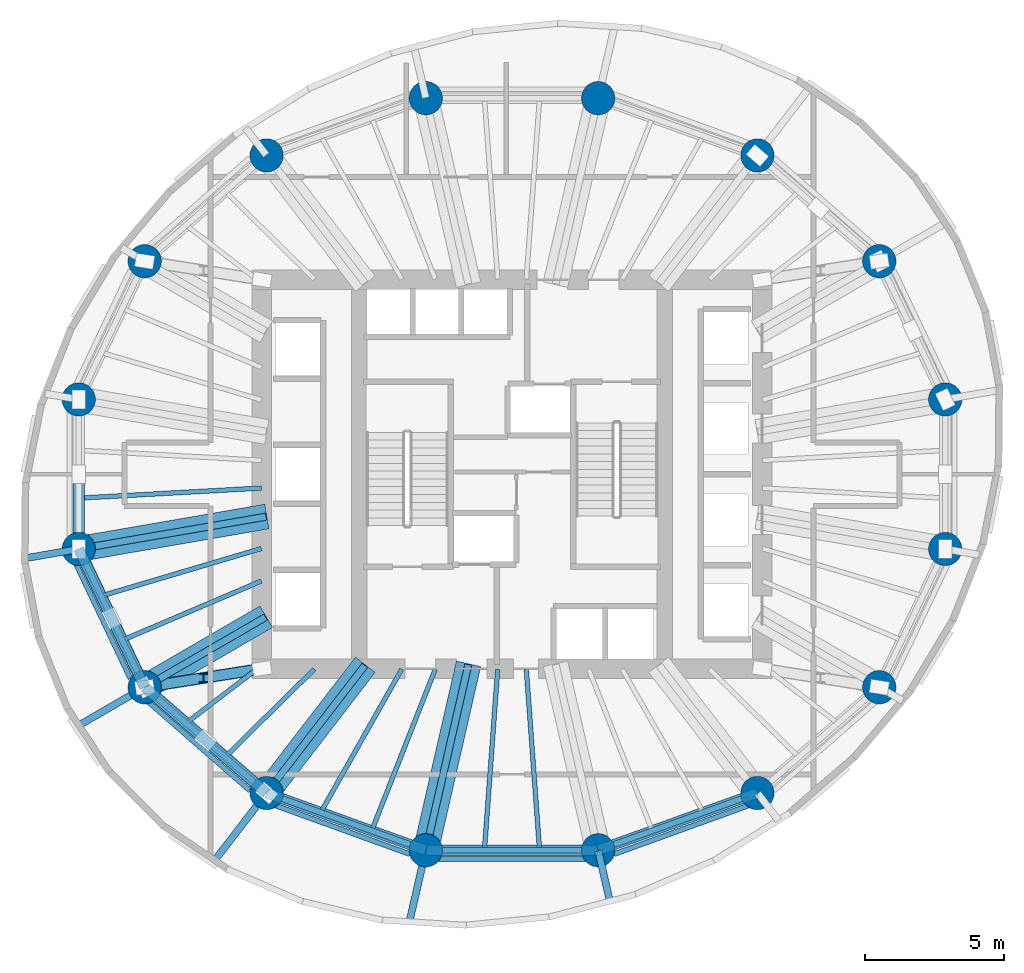
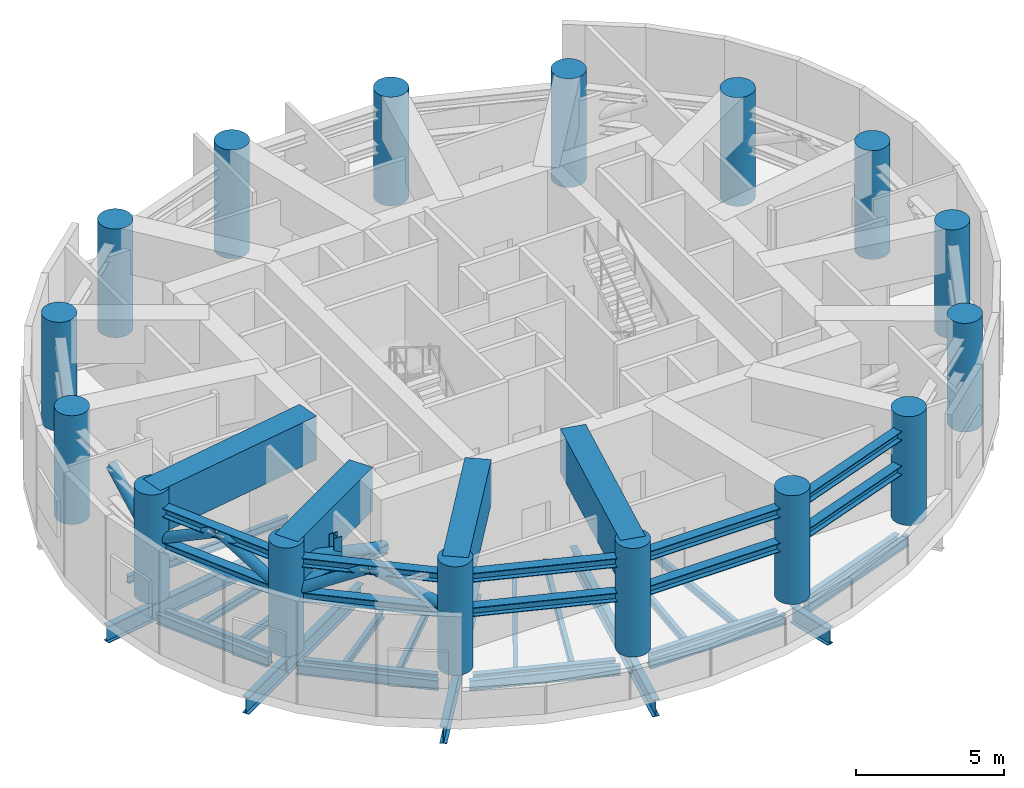
# One storey, part 1 of 9: 32 beams, 18 members, 16 columns.
"""IFC4 building model written with IfcOpenShell, lengths in metres."""

import ifcopenshell
import ifcopenshell.guid

model = None  # the IFC model being written
_history = None  # IfcOwnerHistory: only IFC2X3 demands one
_inside = {}  # id of a spatial element -> (the spatial element, [elements in it])
_under = {}  # id of a project, library or spatial element -> (it, [spatial elements below it])
_declared = {}  # id of a project -> (the project, [libraries it declares])
_typed = {}  # id of a type object -> (the type object, [elements of that type])
_made_of = {}  # id of a material, layer set ... -> (it, [elements and type objects made of it])


def new_model(schema):
    """Start an empty IFC model of exactly this schema.

    Asked for "IFC4X3", IfcOpenShell would pick the latest addendum, in which some entities
    have other attributes; the version numbers below select the first issue.
    IFC2X3 requires an IfcOwnerHistory on every rooted entity: one is made here for all.
    """
    global model, _history
    if schema == "IFC4X3":
        model = ifcopenshell.file(schema_version=(4, 3, 0, 0))
    else:
        model = ifcopenshell.file(schema=schema)
    _inside.clear()
    _under.clear()
    _declared.clear()
    _typed.clear()
    _made_of.clear()
    _history = None
    if model.schema == "IFC2X3":
        org = make("IfcOrganization", Name="unknown")
        user = make(
            "IfcPersonAndOrganization",
            ThePerson=make("IfcPerson", FamilyName="unknown"),
            TheOrganization=org,
        )
        app = make(
            "IfcApplication",
            ApplicationDeveloper=org,
            Version="unknown",
            ApplicationFullName="unknown",
            ApplicationIdentifier="unknown",
        )
        _history = make(
            "IfcOwnerHistory",
            OwningUser=user,
            OwningApplication=app,
            ChangeAction="ADDED",
            CreationDate=0,
        )
    return model


def make(cls, **values):
    """One entity of the class cls with the attributes given. An attribute that is None is left unset."""
    return model.create_entity(
        cls, **{name: value for name, value in values.items() if value is not None}
    )


def rooted(cls, **values):
    """An entity with a GlobalId (a new one), such as an element, a storey or a relation."""
    return make(cls, GlobalId=ifcopenshell.guid.new(), OwnerHistory=_history, **values)


def si_unit(unit_type, name, prefix=None):
    """IfcSIUnit, for example si_unit("LENGTHUNIT", "METRE", prefix="MILLI")."""
    return make("IfcSIUnit", UnitType=unit_type, Prefix=prefix, Name=name)


def assignment(units):
    """IfcUnitAssignment: the units of a project."""
    return None if units is None else make("IfcUnitAssignment", Units=units)


def point(xyz):
    """IfcCartesianPoint."""
    return None if xyz is None else make("IfcCartesianPoint", Coordinates=xyz)


def direction(xyz):
    """IfcDirection."""
    return None if xyz is None else make("IfcDirection", DirectionRatios=xyz)


def frame(location, z_axis=None, x_axis=None):
    """IfcAxis2Placement3D, a coordinate frame: its origin and axes. An axis left out is left unset."""
    return make(
        "IfcAxis2Placement3D",
        Location=point(location),
        Axis=direction(z_axis),
        RefDirection=direction(x_axis),
    )


def frame_2d(location, x_axis=None):
    """IfcAxis2Placement2D, a coordinate frame in the plane: its origin and x axis."""
    return make(
        "IfcAxis2Placement2D", Location=point(location), RefDirection=direction(x_axis)
    )


def origin():
    """The frame at (0, 0, 0) with its axes left unset."""
    return frame((0.0, 0.0, 0.0))


def origin_2d():
    """The frame at (0, 0) in the plane with its x axis left unset."""
    return frame_2d((0.0, 0.0))


def place(relative_to, where):
    """IfcLocalPlacement: puts the frame where relative to a parent placement (None: the world)."""
    return make(
        "IfcLocalPlacement", PlacementRelTo=relative_to, RelativePlacement=where
    )


def context(
    kind, dimensions, precision=None, world=None, true_north=None, identifier=None
):
    """IfcGeometricRepresentationContext, for example the 3D "Model" context."""
    return make(
        "IfcGeometricRepresentationContext",
        ContextIdentifier=identifier,
        ContextType=kind,
        CoordinateSpaceDimension=dimensions,
        Precision=precision,
        WorldCoordinateSystem=world,
        TrueNorth=true_north,
    )


def subcontext(parent, identifier, kind, view, scale=None):
    """IfcGeometricRepresentationSubContext, for example "Body" below "Model"."""
    return make(
        "IfcGeometricRepresentationSubContext",
        ContextIdentifier=identifier,
        ContextType=kind,
        ParentContext=parent,
        TargetScale=scale,
        TargetView=view,
    )


def project(units=None, contexts=None):
    """IfcProject with its units and contexts."""
    return rooted(
        "IfcProject",
        Name="project",
        RepresentationContexts=contexts,
        UnitsInContext=assignment(units),
    )


def spatial(cls, under=None, at=None, **own):
    """A site, building, storey or space (cls), placed at a placement, below another one or the project."""
    s = rooted(cls, ObjectPlacement=at, **own)
    if under is not None:
        _under.setdefault(under.id(), (under, []))[1].append(s)
    return s


def profile(cls, at=None, kind="AREA", **sizes):
    """A parametric profile (cls). Its sizes go by their IFC names, for example OverallWidth=200.0."""
    return make(cls, ProfileType=kind, Position=at, **sizes)


def rectangle(**sizes):
    """IfcRectangleProfileDef."""
    return profile("IfcRectangleProfileDef", **sizes)


def circle(**sizes):
    """IfcCircleProfileDef."""
    return profile("IfcCircleProfileDef", **sizes)


def hollow_circle(**sizes):
    """IfcCircleHollowProfileDef."""
    return profile("IfcCircleHollowProfileDef", **sizes)


def i_section(**sizes):
    """IfcIShapeProfileDef."""
    return profile("IfcIShapeProfileDef", **sizes)


def extrude(swept, where, along, depth):
    """IfcExtrudedAreaSolid: the profile swept, set in the frame where, extruded along a direction by depth."""
    return make(
        "IfcExtrudedAreaSolid",
        SweptArea=swept,
        Position=where,
        ExtrudedDirection=direction(along),
        Depth=depth,
    )


def shape(context_of_items, identifier, shape_type, items):
    """IfcShapeRepresentation: the items that make up one representation, for example the "Body"."""
    return make(
        "IfcShapeRepresentation",
        ContextOfItems=context_of_items,
        RepresentationIdentifier=identifier,
        RepresentationType=shape_type,
        Items=items,
    )


def material(Name=None, Category=None):
    """IfcMaterial."""
    return make("IfcMaterial", Name=Name, Category=Category)


def material_profile(
    of_material, cross_section, Name=None, Category=None, Priority=None
):
    """IfcMaterialProfile: a cross section and its material."""
    return make(
        "IfcMaterialProfile",
        Name=Name,
        Material=of_material,
        Profile=cross_section,
        Priority=Priority,
        Category=Category,
    )


def profile_set(profiles, Name=None, composite=None):
    """IfcMaterialProfileSet."""
    return make(
        "IfcMaterialProfileSet",
        Name=Name,
        MaterialProfiles=profiles,
        CompositeProfile=composite,
    )


def made_of(thing, what):
    """Note that an element or type object is made of a material, layer set ...; save() writes the relation."""
    if what is not None:
        _made_of.setdefault(what.id(), (what, []))[1].append(thing)
    return thing


def type_object(cls, material=None, **own):
    """A type object (cls), such as IfcWallType, which elements share."""
    return made_of(rooted(cls, **own), material)


def element(
    cls,
    number,
    at=None,
    inside=None,
    cuts=None,
    type_object=None,
    material=None,
    context=None,
    identifier="Body",
    shape_type=None,
    held_by="IfcProductDefinitionShape",
    body=None,
    shapes=None,
    **own,
):
    """One element of the class cls, such as IfcWall. Its Tag is "e" and its number.

    at: its placement. inside: the storey or other place that contains it. cuts: it is an
    opening in that element (IfcRelVoidsElement). A single representation is given by context,
    identifier, shape_type and body (its items); several are given by shapes. held_by: the class
    of the entity that holds the representations. save() writes the other relations.
    """
    e = rooted(cls, Tag="e%d" % number, ObjectPlacement=at, **own)
    if body is not None:
        shapes = [shape(context, identifier, shape_type, body)]
    if shapes is not None:
        e.Representation = make(held_by, Representations=shapes)
    if inside is not None:
        _inside.setdefault(inside.id(), (inside, []))[1].append(e)
    if cuts is not None:
        rooted(
            "IfcRelVoidsElement", RelatingBuildingElement=cuts, RelatedOpeningElement=e
        )
    if type_object is not None:
        _typed.setdefault(type_object.id(), (type_object, []))[1].append(e)
    return made_of(e, material)


def aggregate(whole, parts):
    """IfcRelAggregates: a whole, such as a stair, and the parts it consists of."""
    return rooted("IfcRelAggregates", RelatingObject=whole, RelatedObjects=parts)


def save(model, path):
    """Write the relations noted so far, then the file.

    IfcRelAggregates (storeys below a building ...), IfcRelContainedInSpatialStructure (elements
    in a storey), IfcRelDefinesByType, IfcRelAssociatesMaterial and IfcRelDeclares: one each for
    every whole, place, type object, material and project.
    """
    for whole, parts in _under.values():
        aggregate(whole, parts)
    for where, things in _inside.values():
        rooted(
            "IfcRelContainedInSpatialStructure",
            RelatedElements=things,
            RelatingStructure=where,
        )
    for kind, things in _typed.values():
        rooted("IfcRelDefinesByType", RelatedObjects=things, RelatingType=kind)
    for what, things in _made_of.values():
        rooted("IfcRelAssociatesMaterial", RelatedObjects=things, RelatingMaterial=what)
    for by, libraries in _declared.values():
        rooted("IfcRelDeclares", RelatingContext=by, RelatedDefinitions=libraries)
    model.write(path)


model = new_model("IFC4")

# Units and contexts
model_context = context("Model", 3, precision=1e-05, world=origin(), true_north=direction((0.0, 1.0)))
body_context = subcontext(model_context, "Body", "Model", "MODEL_VIEW")
ifc_project = project(units=[si_unit("LENGTHUNIT", "METRE"), si_unit("AREAUNIT", "SQUARE_METRE"), si_unit("VOLUMEUNIT", "CUBIC_METRE"), si_unit("PLANEANGLEUNIT", "RADIAN"), si_unit("MASSUNIT", "GRAM", prefix="KILO")], contexts=[model_context])

# Site, building, storey
site_placement = place(None, origin())
site = spatial("IfcSite", under=ifc_project, at=site_placement, CompositionType="ELEMENT")
building_placement = place(site_placement, origin())
building = spatial("IfcBuilding", under=site, at=building_placement, Name="Veldorim Arch Residences", CompositionType="ELEMENT")
storey_placement = place(building_placement, frame((0.0, 0.0, 112.47998046875)))
storey = spatial("IfcBuildingStorey", under=building, at=storey_placement, Name="L33", CompositionType="ELEMENT", Elevation=112.47998046875)

# Columns
ifc_material_1 = material(Name="Concrete C60/75", Category="concrete")
ifc_material_profile_1 = material_profile(ifc_material_1, circle(Radius=0.60009765625, at=origin_2d()), Name="RC_CIRC_1200")
ifc_profile_set_1 = profile_set([ifc_material_profile_1], Name="Concrete C60/75")
column_type = type_object("IfcColumnType", Name="Structural Column RC_CIRC_1200", PredefinedType="COLUMN", material=ifc_profile_set_1)
for number, where, z_axis, x_axis, name in (
    (1, (47.594482421875, 26.692138671875, 0.0), (0.0, 0.0, 1.0), (1.0, 0.0, 0.0), "L33 TC-Z2-01 perimeter column"),
    (2, (45.220458984375, 31.6669921875, 0.0), (0.0, 0.0, 1.0), (1.0, 0.0, 0.0), "L33 TC-Z2-02 perimeter column"),
    (3, (40.83349609375, 35.474365234375, 0.0), (0.0, 0.0, 1.0), (1.0, 0.0, 0.0), "L33 TC-Z2-03 perimeter column"),
    (4, (35.101806640625, 37.534912109375, 0.0), (0.0, 0.0, 1.0), (1.0, 0.0, 0.0), "L33 TC-Z2-04 perimeter column"),
    (5, (28.898193359375, 37.534912109375, 0.0), (0.0, 0.0, 1.0), (1.0, 0.0, 0.0), "L33 TC-Z2-05 perimeter column"),
    (6, (23.16650390625, 35.474365234375, 0.0), (0.0, 0.0, 1.0), (1.0, 0.0, 0.0), "L33 TC-Z2-06 perimeter column"),
    (7, (18.779541015625, 31.6669921875, 0.0), (0.0, 0.0, 1.0), (1.0, 0.0, 0.0), "L33 TC-Z2-07 perimeter column"),
    (8, (16.405517578125, 26.692138671875, 0.0), (0.0, 0.0, 1.0), (1.0, 0.0, 0.0), "L33 TC-Z2-08 perimeter column"),
    (9, (16.405517578125, 21.307861328125, 0.0), (0.0, 0.0, 1.0), (1.0, 0.0, 0.0), "L33 TC-Z2-09 perimeter column"),
    (10, (18.779541015625, 16.3330078125, 0.0), (0.0, 0.0, 1.0), (1.0, 0.0, 0.0), "L33 TC-Z2-10 perimeter column"),
    (11, (23.16650390625, 12.525634765625, 0.0), (0.0, 0.0, 1.0), (1.0, 0.0, 0.0), "L33 TC-Z2-11 perimeter column"),
    (12, (28.898193359375, 10.465087890625, 0.0), (0.0, 0.0, 1.0), (1.0, 0.0, 0.0), "L33 TC-Z2-12 perimeter column"),
    (13, (35.101806640625, 10.465087890625, 0.0), (0.0, 0.0, 1.0), (1.0, 0.0, 0.0), "L33 TC-Z2-13 perimeter column"),
    (14, (40.83349609375, 12.525634765625, 0.0), (0.0, 0.0, 1.0), (1.0, 0.0, 0.0), "L33 TC-Z2-14 perimeter column"),
    (15, (45.220458984375, 16.3330078125, 0.0), (0.0, 0.0, 1.0), (1.0, 0.0, 0.0), "L33 TC-Z2-15 perimeter column"),
    (16, (47.594482421875, 21.307861328125, 0.0), (0.0, 0.0, 1.0), (1.0, 0.0, 0.0), "L33 TC-Z2-16 perimeter column"),
):
    element("IfcColumn", number, at=place(storey_placement, frame(where, z_axis=z_axis, x_axis=x_axis)), inside=storey, type_object=column_type, Name=name, PredefinedType="COLUMN", context=body_context, shape_type="SweptSolid", body=[
        extrude(circle(Radius=0.60009765625, at=origin_2d()), origin(), (0.0, 0.0, 1.0), 4.47998046875),
    ])

# Members
ifc_material_2 = material(Name="Steel S460", Category="steel")
ifc_material_profile_2 = material_profile(ifc_material_2, hollow_circle(Radius=0.203125, WallThickness=0.02490234375, at=origin_2d()), Name="CHS406.4x25")
ifc_profile_set_2 = profile_set([ifc_material_profile_2], Name="Steel S460")
member_type_1 = type_object("IfcMemberType", Name="Crown Diagrid CHS406.4x25", PredefinedType="BRACE", material=ifc_profile_set_2)
member_1_placement = place(storey_placement, frame((16.405517578125, 21.307861328125, 2.239990234375), z_axis=(0.0, 0.884510728409, 0.46651985095), x_axis=(-1.0, 0.0, 0.0)))
element("IfcMember", 17, at=member_1_placement, inside=storey, type_object=member_type_1, Name="L33 belt truss chevron brace 08B", PredefinedType="BRACE", context=body_context, shape_type="SweptSolid", body=[
    extrude(hollow_circle(Radius=0.203125, WallThickness=0.02490234375, at=origin_2d()), origin(), (0.0, 0.0, 1.0), 3.043701171875),
])
member_2_placement = place(storey_placement, frame((16.405517578125, 21.307861328125, 2.239990234375), z_axis=(0.382869964673, -0.80227873305, 0.457995005047), x_axis=(0.902496689438, 0.430696790739, 0.0)))
element("IfcMember", 18, at=member_2_placement, inside=storey, type_object=member_type_1, Name="L33 belt truss chevron brace 09A", PredefinedType="BRACE", context=body_context, shape_type="SweptSolid", body=[
    extrude(hollow_circle(Radius=0.203125, WallThickness=0.02490234375, at=origin_2d()), origin(), (0.0, 0.0, 1.0), 3.100341796875),
])
member_3_placement = place(storey_placement, frame((18.779541015625, 16.3330078125, 2.239990234375), z_axis=(-0.382845777056, 0.802306791942, 0.457966071443), x_axis=(-0.902513119828, -0.430662360252, 0.0)))
element("IfcMember", 19, at=member_3_placement, inside=storey, type_object=member_type_1, Name="L33 belt truss chevron brace 09B", PredefinedType="BRACE", context=body_context, shape_type="SweptSolid", body=[
    extrude(hollow_circle(Radius=0.203125, WallThickness=0.02490234375, at=origin_2d()), origin(), (0.0, 0.0, 1.0), 3.1005859375),
])
member_4_placement = place(storey_placement, frame((18.779541015625, 16.3330078125, 2.239990234375), z_axis=(0.678484593974, -0.588840647731, 0.439232680159), x_axis=(0.655452052573, 0.755236788549, 0.0)))
element("IfcMember", 20, at=member_4_placement, inside=storey, type_object=member_type_1, Name="L33 belt truss chevron brace 10A", PredefinedType="BRACE", context=body_context, shape_type="SweptSolid", body=[
    extrude(hollow_circle(Radius=0.203125, WallThickness=0.02490234375, at=origin_2d()), origin(), (0.0, 0.0, 1.0), 3.232666015625),
])
member_5_placement = place(storey_placement, frame((23.16650390625, 12.525634765625, 2.239990234375), z_axis=(-0.678495175724, 0.588859808603, 0.439190644631), x_axis=(-0.655458387003, -0.755231291001, 0.0)))
element("IfcMember", 21, at=member_5_placement, inside=storey, type_object=member_type_1, Name="L33 belt truss chevron brace 10B", PredefinedType="BRACE", context=body_context, shape_type="SweptSolid", body=[
    extrude(hollow_circle(Radius=0.203125, WallThickness=0.02490234375, at=origin_2d()), origin(), (0.0, 0.0, 1.0), 3.233154296875),
])
member_6_placement = place(storey_placement, frame((23.0, 17.0, 2.239990234375), z_axis=(-0.937339958328, -0.148135174764, 0.315356579952), x_axis=(0.15610047481, -0.987741181567, 0.0)))
element("IfcMember", 22, at=member_6_placement, inside=storey, type_object=member_type_1, Name="L33 outrigger truss diagonal 04", PredefinedType="BRACE", context=body_context, shape_type="SweptSolid", body=[
    extrude(hollow_circle(Radius=0.203125, WallThickness=0.02490234375, at=origin_2d()), origin(), (0.0, 0.0, 1.0), 4.502685546875),
])

# Beams
ifc_material_3 = material(Name="Concrete C50/60", Category="concrete")
ifc_material_profile_3 = material_profile(ifc_material_3, rectangle(XDim=0.89990234375, YDim=1.800048828125, at=origin_2d()), Name="RC_RECT_900x1800")
ifc_profile_set_3 = profile_set([ifc_material_profile_3], Name="Concrete C50/60")
beam_type_1 = type_object("IfcBeamType", Name="Reinforced Concrete TRANSFER GIRDER RC_RECT_900x1800", PredefinedType="USERDEFINED", material=ifc_profile_set_3)
beam_1_placement = place(storey_placement, frame((23.177490234375, 22.476806640625, 3.580078125), z_axis=(-0.985426867966, -0.170099641064, 0.0), x_axis=(0.170099641064, -0.985426867966, 0.0)))
element("IfcBeam", 23, at=beam_1_placement, inside=storey, type_object=beam_type_1, Name="L33 zone-setback radial transfer girder 09", ObjectType="TRANSFER GIRDER", PredefinedType="USERDEFINED", context=body_context, shape_type="SweptSolid", body=[
    extrude(rectangle(XDim=0.89990234375, YDim=1.800048828125, at=origin_2d()), origin(), (0.0, 0.0, 1.0), 6.8720703125),
])
beam_2_placement = place(storey_placement, frame((23.15576171875, 18.870849609375, 3.580078125), z_axis=(-0.865062605032, -0.501663920743, 0.0), x_axis=(0.501663920743, -0.865062605032, 0.0)))
element("IfcBeam", 24, at=beam_2_placement, inside=storey, type_object=beam_type_1, Name="L33 zone-setback radial transfer girder 10", ObjectType="TRANSFER GIRDER", PredefinedType="USERDEFINED", context=body_context, shape_type="SweptSolid", body=[
    extrude(rectangle(XDim=0.89990234375, YDim=1.800048828125, at=origin_2d()), origin(), (0.0, 0.0, 1.0), 5.058837890625),
])
beam_3_placement = place(storey_placement, frame((26.720703125, 17.142578125, 3.580078125), z_axis=(-0.610002316779, -0.792399629937, 0.0), x_axis=(0.792399629937, -0.610002316779, 0.0)))
element("IfcBeam", 25, at=beam_3_placement, inside=storey, type_object=beam_type_1, Name="L33 zone-setback radial transfer girder 11", ObjectType="TRANSFER GIRDER", PredefinedType="USERDEFINED", context=body_context, shape_type="SweptSolid", body=[
    extrude(rectangle(XDim=0.89990234375, YDim=1.800048828125, at=origin_2d()), origin(), (0.0, 0.0, 1.0), 5.826416015625),
])
beam_4_placement = place(storey_placement, frame((30.435791015625, 17.175537109375, 3.580078125), z_axis=(-0.223346674317, -0.974739074353, 0.0), x_axis=(0.974739074353, -0.223346674317, 0.0)))
element("IfcBeam", 26, at=beam_4_placement, inside=storey, type_object=beam_type_1, Name="L33 zone-setback radial transfer girder 12", ObjectType="TRANSFER GIRDER", PredefinedType="USERDEFINED", context=body_context, shape_type="SweptSolid", body=[
    extrude(rectangle(XDim=0.89990234375, YDim=1.800048828125, at=origin_2d()), origin(), (0.0, 0.0, 1.0), 6.88427734375),
])
ifc_material_4 = material(Name="Steel S355", Category="steel")
ifc_material_profile_4 = material_profile(ifc_material_4, i_section(OverallWidth=0.2119140625, OverallDepth=0.54443359375, WebThickness=0.0126953125, FlangeThickness=0.021240234375, at=origin_2d()), Name="UB533x210x122")
ifc_profile_set_4 = profile_set([ifc_material_profile_4], Name="Steel S355")
beam_type_2 = type_object("IfcBeamType", Name="Structural Steel Beam UB533x210x122", PredefinedType="BEAM", material=ifc_profile_set_4)
beam_5_placement = place(storey_placement, frame((16.663818359375, 20.766357421875, -0.67236328125), z_axis=(0.430720154476, -0.902485539235, 0.0), x_axis=(0.902485539235, 0.430720154476, 0.0)))
element("IfcBeam", 27, at=beam_5_placement, inside=storey, type_object=beam_type_2, Name="L33 perimeter ring tie beam 09", PredefinedType="BEAM", context=body_context, shape_type="SweptSolid", body=[
    extrude(i_section(OverallWidth=0.2119140625, OverallDepth=0.54443359375, WebThickness=0.0126953125, FlangeThickness=0.021240234375, at=origin_2d()), origin(), (0.0, 0.0, 1.0), 4.312255859375),
])
beam_6_placement = place(storey_placement, frame((19.232666015625, 15.939697265625, -0.67236328125), z_axis=(0.755244952556, -0.655442645576, 0.0), x_axis=(0.655442645576, 0.755244952556, 0.0)))
element("IfcBeam", 28, at=beam_6_placement, inside=storey, type_object=beam_type_2, Name="L33 perimeter ring tie beam 10", PredefinedType="BEAM", context=body_context, shape_type="SweptSolid", body=[
    extrude(i_section(OverallWidth=0.2119140625, OverallDepth=0.54443359375, WebThickness=0.0126953125, FlangeThickness=0.021240234375, at=origin_2d()), origin(), (0.0, 0.0, 1.0), 4.608642578125),
])
beam_7_placement = place(storey_placement, frame((23.73095703125, 12.32275390625, -0.67236328125), z_axis=(0.941041944493, -0.338289903343, 0.0), x_axis=(0.338289903343, 0.941041944493, 0.0)))
element("IfcBeam", 29, at=beam_7_placement, inside=storey, type_object=beam_type_2, Name="L33 perimeter ring tie beam 11", PredefinedType="BEAM", context=body_context, shape_type="SweptSolid", body=[
    extrude(i_section(OverallWidth=0.2119140625, OverallDepth=0.54443359375, WebThickness=0.0126953125, FlangeThickness=0.021240234375, at=origin_2d()), origin(), (0.0, 0.0, 1.0), 4.890869140625),
])
beam_8_placement = place(storey_placement, frame((29.498046875, 10.465087890625, -0.67236328125), z_axis=(1.0, 0.0, 0.0), x_axis=(0.0, 1.0, 0.0)))
element("IfcBeam", 30, at=beam_8_placement, inside=storey, type_object=beam_type_2, Name="L33 perimeter ring tie beam 12", PredefinedType="BEAM", context=body_context, shape_type="SweptSolid", body=[
    extrude(i_section(OverallWidth=0.2119140625, OverallDepth=0.54443359375, WebThickness=0.0126953125, FlangeThickness=0.021240234375, at=origin_2d()), origin(), (0.0, 0.0, 1.0), 5.00390625),
])
beam_9_placement = place(storey_placement, frame((35.66650390625, 10.668212890625, -0.67236328125), z_axis=(0.941041944493, 0.338289903343, 0.0), x_axis=(-0.338289903343, 0.941041944493, 0.0)))
element("IfcBeam", 31, at=beam_9_placement, inside=storey, type_object=beam_type_2, Name="L33 perimeter ring tie beam 13", PredefinedType="BEAM", context=body_context, shape_type="SweptSolid", body=[
    extrude(i_section(OverallWidth=0.2119140625, OverallDepth=0.54443359375, WebThickness=0.0126953125, FlangeThickness=0.021240234375, at=origin_2d()), origin(), (0.0, 0.0, 1.0), 4.890869140625),
])
ifc_material_5 = material(Name="Steel S355", Category="steel")
ifc_material_profile_5 = material_profile(ifc_material_5, i_section(OverallWidth=0.25439453125, OverallDepth=0.6875, WebThickness=0.01318359375, FlangeThickness=0.02099609375, at=origin_2d()), Name="UB686x254x152")
ifc_profile_set_5 = profile_set([ifc_material_profile_5], Name="Steel S355")
beam_type_3 = type_object("IfcBeamType", Name="Structural Steel GIRDER UB686x254x152", PredefinedType="USERDEFINED", material=ifc_profile_set_5)
beam_10_placement = place(storey_placement, frame((23.147705078125, 22.4716796875, -0.743896484375), z_axis=(-0.985426622718, -0.17010106184, 0.0), x_axis=(0.17010106184, -0.985426622718, 0.0)))
element("IfcBeam", 32, at=beam_10_placement, inside=storey, type_object=beam_type_3, Name="L33 radial floor girder 09", ObjectType="GIRDER", PredefinedType="USERDEFINED", context=body_context, shape_type="SweptSolid", body=[
    extrude(i_section(OverallWidth=0.25439453125, OverallDepth=0.6875, WebThickness=0.01318359375, FlangeThickness=0.02099609375, at=origin_2d()), origin(), (0.0, 0.0, 1.0), 6.82177734375),
])
beam_11_placement = place(storey_placement, frame((16.3857421875, 21.304443359375, -0.743896484375), z_axis=(-0.985411374096, -0.170189376291, 0.0), x_axis=(0.170189376291, -0.985411374096, 0.0)))
element("IfcBeam", 33, at=beam_11_placement, inside=storey, type_object=beam_type_3, Name="L33 radial edge cantilever girder 09", ObjectType="GIRDER", PredefinedType="USERDEFINED", context=body_context, shape_type="SweptSolid", body=[
    extrude(i_section(OverallWidth=0.25439453125, OverallDepth=0.6875, WebThickness=0.01318359375, FlangeThickness=0.02099609375, at=origin_2d()), origin(), (0.0, 0.0, 1.0), 1.96826171875),
])
beam_12_placement = place(storey_placement, frame((23.1298828125, 18.85595703125, -0.743896484375), z_axis=(-0.865048957682, -0.501687453314, 0.0), x_axis=(0.501687453314, -0.865048957682, 0.0)))
element("IfcBeam", 34, at=beam_12_placement, inside=storey, type_object=beam_type_3, Name="L33 radial floor girder 10", ObjectType="GIRDER", PredefinedType="USERDEFINED", context=body_context, shape_type="SweptSolid", body=[
    extrude(i_section(OverallWidth=0.25439453125, OverallDepth=0.6875, WebThickness=0.01318359375, FlangeThickness=0.02099609375, at=origin_2d()), origin(), (0.0, 0.0, 1.0), 5.009033203125),
])
beam_13_placement = place(storey_placement, frame((18.76220703125, 16.322998046875, -0.743896484375), z_axis=(-0.865079969569, -0.501633976372, 0.0), x_axis=(0.501633976372, -0.865079969569, 0.0)))
element("IfcBeam", 35, at=beam_13_placement, inside=storey, type_object=beam_type_3, Name="L33 radial edge cantilever girder 10", ObjectType="GIRDER", PredefinedType="USERDEFINED", context=body_context, shape_type="SweptSolid", body=[
    extrude(i_section(OverallWidth=0.25439453125, OverallDepth=0.6875, WebThickness=0.01318359375, FlangeThickness=0.02099609375, at=origin_2d()), origin(), (0.0, 0.0, 1.0), 2.736572265625),
])
beam_14_placement = place(storey_placement, frame((26.702392578125, 17.118896484375, -0.743896484375), z_axis=(-0.609994628196, -0.792405548676, 0.0), x_axis=(0.792405548676, -0.609994628196, 0.0)))
element("IfcBeam", 36, at=beam_14_placement, inside=storey, type_object=beam_type_3, Name="L33 radial floor girder 11", ObjectType="GIRDER", PredefinedType="USERDEFINED", context=body_context, shape_type="SweptSolid", body=[
    extrude(i_section(OverallWidth=0.25439453125, OverallDepth=0.6875, WebThickness=0.01318359375, FlangeThickness=0.02099609375, at=origin_2d()), origin(), (0.0, 0.0, 1.0), 5.776611328125),
])
beam_15_placement = place(storey_placement, frame((23.154296875, 12.510009765625, -0.743896484375), z_axis=(-0.609996329262, -0.79240423919, 0.0), x_axis=(0.79240423919, -0.609996329262, 0.0)))
element("IfcBeam", 37, at=beam_15_placement, inside=storey, type_object=beam_type_3, Name="L33 radial edge cantilever girder 11", ObjectType="GIRDER", PredefinedType="USERDEFINED", context=body_context, shape_type="SweptSolid", body=[
    extrude(i_section(OverallWidth=0.25439453125, OverallDepth=0.6875, WebThickness=0.01318359375, FlangeThickness=0.02099609375, at=origin_2d()), origin(), (0.0, 0.0, 1.0), 3.056884765625),
])
beam_16_placement = place(storey_placement, frame((30.42919921875, 17.146240234375, -0.743896484375), z_axis=(-0.223374742148, -0.97473264261, 0.0), x_axis=(0.97473264261, -0.223374742148, 0.0)))
element("IfcBeam", 38, at=beam_16_placement, inside=storey, type_object=beam_type_3, Name="L33 radial floor girder 12", ObjectType="GIRDER", PredefinedType="USERDEFINED", context=body_context, shape_type="SweptSolid", body=[
    extrude(i_section(OverallWidth=0.25439453125, OverallDepth=0.6875, WebThickness=0.01318359375, FlangeThickness=0.02099609375, at=origin_2d()), origin(), (0.0, 0.0, 1.0), 6.834228515625),
])
beam_17_placement = place(storey_placement, frame((28.8935546875, 10.44580078125, -0.743896484375), z_axis=(-0.223295427376, -0.974750815395, 0.0), x_axis=(0.974750815395, -0.223295427376, 0.0)))
element("IfcBeam", 39, at=beam_17_placement, inside=storey, type_object=beam_type_3, Name="L33 radial edge cantilever girder 12", ObjectType="GIRDER", PredefinedType="USERDEFINED", context=body_context, shape_type="SweptSolid", body=[
    extrude(i_section(OverallWidth=0.25439453125, OverallDepth=0.6875, WebThickness=0.01318359375, FlangeThickness=0.02099609375, at=origin_2d()), origin(), (0.0, 0.0, 1.0), 2.6337890625),
])
beam_18_placement = place(storey_placement, frame((35.1064453125, 10.44580078125, -0.743896484375), z_axis=(0.223316805826, -0.974745917783, 0.0), x_axis=(0.974745917783, 0.223316805826, 0.0)))
element("IfcBeam", 40, at=beam_18_placement, inside=storey, type_object=beam_type_3, Name="L33 radial edge cantilever girder 13", ObjectType="GIRDER", PredefinedType="USERDEFINED", context=body_context, shape_type="SweptSolid", body=[
    extrude(i_section(OverallWidth=0.25439453125, OverallDepth=0.6875, WebThickness=0.01318359375, FlangeThickness=0.02099609375, at=origin_2d()), origin(), (0.0, 0.0, 1.0), 1.872802734375),
])
ifc_material_6 = material(Name="Steel S355", Category="steel")
ifc_material_profile_6 = material_profile(ifc_material_6, i_section(OverallWidth=0.165771484375, OverallDepth=0.306640625, WebThickness=0.006591796875, FlangeThickness=0.01171875, at=origin_2d()), Name="UB305x165x46")
ifc_profile_set_6 = profile_set([ifc_material_profile_6], Name="Steel S355")
beam_type_4 = type_object("IfcBeamType", Name="Structural Steel Joist UB305x165x46", PredefinedType="JOIST", material=ifc_profile_set_6)
beam_19_placement = place(storey_placement, frame((22.97998046875, 23.501708984375, -0.55322265625), z_axis=(-0.99847713097, -0.055167190702, 0.0), x_axis=(0.055167190702, -0.99847713097, 0.0)))
element("IfcBeam", 41, at=beam_19_placement, inside=storey, type_object=beam_type_4, Name="L33 secondary radial floor joist 08-2", PredefinedType="JOIST", context=body_context, shape_type="SweptSolid", body=[
    extrude(i_section(OverallWidth=0.165771484375, OverallDepth=0.306640625, WebThickness=0.006591796875, FlangeThickness=0.01171875, at=origin_2d()), origin(), (0.0, 0.0, 1.0), 6.474365234375),
])
beam_20_placement = place(storey_placement, frame((22.980712890625, 21.326416015625, -0.55322265625), z_axis=(-0.958753061488, -0.284240333324, 0.0), x_axis=(0.284240333324, -0.958753061488, 0.0)))
element("IfcBeam", 42, at=beam_20_placement, inside=storey, type_object=beam_type_4, Name="L33 secondary radial floor joist 09-1", PredefinedType="JOIST", context=body_context, shape_type="SweptSolid", body=[
    extrude(i_section(OverallWidth=0.165771484375, OverallDepth=0.306640625, WebThickness=0.006591796875, FlangeThickness=0.01171875, at=origin_2d()), origin(), (0.0, 0.0, 1.0), 5.906005859375),
])
beam_21_placement = place(storey_placement, frame((22.981689453125, 20.158447265625, -0.55322265625), z_axis=(-0.919997395122, -0.391924473552, 0.0), x_axis=(0.391924473552, -0.919997395122, 0.0)))
element("IfcBeam", 43, at=beam_21_placement, inside=storey, type_object=beam_type_4, Name="L33 secondary radial floor joist 09-2", PredefinedType="JOIST", context=body_context, shape_type="SweptSolid", body=[
    extrude(i_section(OverallWidth=0.165771484375, OverallDepth=0.306640625, WebThickness=0.006591796875, FlangeThickness=0.01171875, at=origin_2d()), origin(), (0.0, 0.0, 1.0), 5.334716796875),
])
beam_22_placement = place(storey_placement, frame((22.984130859375, 17.111572265625, -0.55322265625), z_axis=(-0.794594763594, -0.60714014994, 0.0), x_axis=(0.60714014994, -0.794594763594, 0.0)))
element("IfcBeam", 44, at=beam_22_placement, inside=storey, type_object=beam_type_4, Name="L33 secondary radial floor joist 10-1", PredefinedType="JOIST", context=body_context, shape_type="SweptSolid", body=[
    extrude(i_section(OverallWidth=0.165771484375, OverallDepth=0.306640625, WebThickness=0.006591796875, FlangeThickness=0.01171875, at=origin_2d()), origin(), (0.0, 0.0, 1.0), 3.30419921875),
])
beam_23_placement = place(storey_placement, frame((24.885986328125, 16.986083984375, -0.55322265625), z_axis=(-0.712111629941, -0.702066255066, 0.0), x_axis=(0.702066255066, -0.712111629941, 0.0)))
element("IfcBeam", 45, at=beam_23_placement, inside=storey, type_object=beam_type_4, Name="L33 secondary radial floor joist 10-2", PredefinedType="JOIST", context=body_context, shape_type="SweptSolid", body=[
    extrude(i_section(OverallWidth=0.165771484375, OverallDepth=0.306640625, WebThickness=0.006591796875, FlangeThickness=0.01171875, at=origin_2d()), origin(), (0.0, 0.0, 1.0), 4.39892578125),
])
beam_24_placement = place(storey_placement, frame((28.03173828125, 16.982666015625, -0.55322265625), z_axis=(-0.492227411199, -0.870466642476, 0.0), x_axis=(0.870466642476, -0.492227411199, 0.0)))
element("IfcBeam", 46, at=beam_24_placement, inside=storey, type_object=beam_type_4, Name="L33 secondary radial floor joist 11-1", PredefinedType="JOIST", context=body_context, shape_type="SweptSolid", body=[
    extrude(i_section(OverallWidth=0.165771484375, OverallDepth=0.306640625, WebThickness=0.006591796875, FlangeThickness=0.01171875, at=origin_2d()), origin(), (0.0, 0.0, 1.0), 5.81494140625),
])
beam_25_placement = place(storey_placement, frame((29.238037109375, 16.9814453125, -0.55322265625), z_axis=(-0.366194870364, -0.930538186707, 0.0), x_axis=(0.930538186707, -0.366194870364, 0.0)))
element("IfcBeam", 47, at=beam_25_placement, inside=storey, type_object=beam_type_4, Name="L33 secondary radial floor joist 11-2", PredefinedType="JOIST", context=body_context, shape_type="SweptSolid", body=[
    extrude(i_section(OverallWidth=0.165771484375, OverallDepth=0.306640625, WebThickness=0.006591796875, FlangeThickness=0.01171875, at=origin_2d()), origin(), (0.0, 0.0, 1.0), 6.1396484375),
])
for number, where, z_axis, x_axis, name in (
    (48, (31.485107421875, 16.97998046875, -0.55322265625), (-0.073143494169, -0.997321427254, 0.0), (0.997321427254, -0.073143494169, 0.0), "L33 secondary radial floor joist 12-1"),
    (49, (32.514892578125, 16.97998046875, -0.55322265625), (0.073143494169, -0.997321427254, 0.0), (0.997321427254, 0.073143494169, 0.0), "L33 secondary radial floor joist 12-2"),
):
    element("IfcBeam", number, at=place(storey_placement, frame(where, z_axis=z_axis, x_axis=x_axis)), inside=storey, type_object=beam_type_4, Name=name, PredefinedType="JOIST", context=body_context, shape_type="SweptSolid", body=[
        extrude(i_section(OverallWidth=0.165771484375, OverallDepth=0.306640625, WebThickness=0.006591796875, FlangeThickness=0.01171875, at=origin_2d()), origin(), (0.0, 0.0, 1.0), 6.421875),
    ])
ifc_material_7 = material(Name="Steel S355", Category="steel")
ifc_material_profile_7 = material_profile(ifc_material_7, i_section(OverallWidth=0.1787109375, OverallDepth=0.409423828125, WebThickness=0.0087890625, FlangeThickness=0.014404296875, at=origin_2d()), Name="UB406x178x67")
ifc_profile_set_7 = profile_set([ifc_material_profile_7], Name="Steel S355")
beam_type_5 = type_object("IfcBeamType", Name="Structural Steel Spandrel UB406x178x67", PredefinedType="SPANDREL", material=ifc_profile_set_7)
beam_26_placement = place(storey_placement, frame((16.306884765625, 20.774658203125, -0.624755859375), z_axis=(0.428857472204, -0.903372165021, 0.0), x_axis=(0.903372165021, 0.428857472204, 0.0)))
element("IfcBeam", 50, at=beam_26_placement, inside=storey, type_object=beam_type_5, Name="L33 perimeter chord spandrel beam 09", PredefinedType="SPANDREL", context=body_context, shape_type="SweptSolid", body=[
    extrude(i_section(OverallWidth=0.1787109375, OverallDepth=0.409423828125, WebThickness=0.0087890625, FlangeThickness=0.014404296875, at=origin_2d()), origin(), (0.0, 0.0, 1.0), 4.572021484375),
])
beam_27_placement = place(storey_placement, frame((18.891845703125, 15.8203125, -0.624755859375), z_axis=(0.753323239074, -0.65765043714, 0.0), x_axis=(0.65765043714, 0.753323239074, 0.0)))
element("IfcBeam", 51, at=beam_27_placement, inside=storey, type_object=beam_type_5, Name="L33 perimeter chord spandrel beam 10", PredefinedType="SPANDREL", context=body_context, shape_type="SweptSolid", body=[
    extrude(i_section(OverallWidth=0.1787109375, OverallDepth=0.409423828125, WebThickness=0.0087890625, FlangeThickness=0.014404296875, at=origin_2d()), origin(), (0.0, 0.0, 1.0), 4.879150390625),
])
beam_28_placement = place(storey_placement, frame((23.461669921875, 12.08447265625, -0.624755859375), z_axis=(0.940307501418, -0.340326024244, 0.0), x_axis=(0.340326024244, 0.940307501418, 0.0)))
element("IfcBeam", 52, at=beam_28_placement, inside=storey, type_object=beam_type_5, Name="L33 perimeter chord spandrel beam 11", PredefinedType="SPANDREL", context=body_context, shape_type="SweptSolid", body=[
    extrude(i_section(OverallWidth=0.1787109375, OverallDepth=0.409423828125, WebThickness=0.0087890625, FlangeThickness=0.014404296875, at=origin_2d()), origin(), (0.0, 0.0, 1.0), 5.175048828125),
])
beam_29_placement = place(storey_placement, frame((29.352294921875, 10.1435546875, -0.624755859375), z_axis=(1.0, 0.0, 0.0), x_axis=(0.0, 1.0, 0.0)))
element("IfcBeam", 53, at=beam_29_placement, inside=storey, type_object=beam_type_5, Name="L33 perimeter chord spandrel beam 12", PredefinedType="SPANDREL", context=body_context, shape_type="SweptSolid", body=[
    extrude(i_section(OverallWidth=0.1787109375, OverallDepth=0.409423828125, WebThickness=0.0087890625, FlangeThickness=0.014404296875, at=origin_2d()), origin(), (0.0, 0.0, 1.0), 5.29541015625),
])
beam_30_placement = place(storey_placement, frame((35.672119140625, 10.3232421875, -0.624755859375), z_axis=(0.940307501418, 0.340326024244, 0.0), x_axis=(-0.340326024244, 0.940307501418, 0.0)))
element("IfcBeam", 54, at=beam_30_placement, inside=storey, type_object=beam_type_5, Name="L33 perimeter chord spandrel beam 13", PredefinedType="SPANDREL", context=body_context, shape_type="SweptSolid", body=[
    extrude(i_section(OverallWidth=0.1787109375, OverallDepth=0.409423828125, WebThickness=0.0087890625, FlangeThickness=0.014404296875, at=origin_2d()), origin(), (0.0, 0.0, 1.0), 5.175048828125),
])

# Members
ifc_material_8 = material(Name="Steel S460", Category="steel")
ifc_material_profile_8 = material_profile(ifc_material_8, i_section(OverallWidth=0.374755859375, OverallDepth=0.37451171875, WebThickness=0.0166015625, FlangeThickness=0.027099609375, at=origin_2d()), Name="UC356x368x202")
ifc_profile_set_8 = profile_set([ifc_material_profile_8], Name="Steel S460")
member_type_2 = type_object("IfcMemberType", Name="Truss Chord UC356x368x202", PredefinedType="CHORD", material=ifc_profile_set_8)
for number, where, z_axis, x_axis, name in (
    (55, (16.405517578125, 21.307861328125, 2.239990234375), (0.430679574886, -0.902504905126, 0.0), (0.902504905126, 0.430679574886, 0.0), "L33 belt truss bottom chord 09"),
    (56, (16.405517578125, 21.307861328125, 3.659912109375), (0.430679574886, -0.902504905126, 0.0), (0.902504905126, 0.430679574886, 0.0), "L33 belt truss top chord 09"),
):
    element("IfcMember", number, at=place(storey_placement, frame(where, z_axis=z_axis, x_axis=x_axis)), inside=storey, type_object=member_type_2, Name=name, PredefinedType="CHORD", context=body_context, shape_type="SweptSolid", body=[
        extrude(i_section(OverallWidth=0.374755859375, OverallDepth=0.37451171875, WebThickness=0.0166015625, FlangeThickness=0.027099609375, at=origin_2d()), origin(), (0.0, 0.0, 1.0), 5.51220703125),
    ])
for number, where, z_axis, x_axis, name in (
    (57, (18.779541015625, 16.3330078125, 2.239990234375), (0.755234039619, -0.655455219982, 0.0), (0.655455219982, 0.755234039619, 0.0), "L33 belt truss bottom chord 10"),
    (58, (18.779541015625, 16.3330078125, 3.659912109375), (0.755234039619, -0.655455219982, 0.0), (0.655455219982, 0.755234039619, 0.0), "L33 belt truss top chord 10"),
):
    element("IfcMember", number, at=place(storey_placement, frame(where, z_axis=z_axis, x_axis=x_axis)), inside=storey, type_object=member_type_2, Name=name, PredefinedType="CHORD", context=body_context, shape_type="SweptSolid", body=[
        extrude(i_section(OverallWidth=0.374755859375, OverallDepth=0.37451171875, WebThickness=0.0166015625, FlangeThickness=0.027099609375, at=origin_2d()), origin(), (0.0, 0.0, 1.0), 5.808837890625),
    ])
for number, where, z_axis, x_axis, name in (
    (59, (23.16650390625, 12.525634765625, 2.239990234375), (0.941037036416, -0.338303556134, 0.0), (0.338303556134, 0.941037036416, 0.0), "L33 belt truss bottom chord 11"),
    (60, (23.16650390625, 12.525634765625, 3.659912109375), (0.941037036416, -0.338303556134, 0.0), (0.338303556134, 0.941037036416, 0.0), "L33 belt truss top chord 11"),
):
    element("IfcMember", number, at=place(storey_placement, frame(where, z_axis=z_axis, x_axis=x_axis)), inside=storey, type_object=member_type_2, Name=name, PredefinedType="CHORD", context=body_context, shape_type="SweptSolid", body=[
        extrude(i_section(OverallWidth=0.374755859375, OverallDepth=0.37451171875, WebThickness=0.0166015625, FlangeThickness=0.027099609375, at=origin_2d()), origin(), (0.0, 0.0, 1.0), 6.0908203125),
    ])
for number, where, z_axis, x_axis, name in (
    (61, (28.898193359375, 10.465087890625, 2.239990234375), (1.0, 0.0, 0.0), (0.0, 1.0, 0.0), "L33 belt truss bottom chord 12"),
    (62, (28.898193359375, 10.465087890625, 3.659912109375), (1.0, 0.0, 0.0), (0.0, 1.0, 0.0), "L33 belt truss top chord 12"),
):
    element("IfcMember", number, at=place(storey_placement, frame(where, z_axis=z_axis, x_axis=x_axis)), inside=storey, type_object=member_type_2, Name=name, PredefinedType="CHORD", context=body_context, shape_type="SweptSolid", body=[
        extrude(i_section(OverallWidth=0.374755859375, OverallDepth=0.37451171875, WebThickness=0.0166015625, FlangeThickness=0.027099609375, at=origin_2d()), origin(), (0.0, 0.0, 1.0), 6.20361328125),
    ])
for number, where, z_axis, x_axis, name in (
    (63, (35.101806640625, 10.465087890625, 2.239990234375), (0.941037036416, 0.338303556134, 0.0), (-0.338303556134, 0.941037036416, 0.0), "L33 belt truss bottom chord 13"),
    (64, (35.101806640625, 10.465087890625, 3.659912109375), (0.941037036416, 0.338303556134, 0.0), (-0.338303556134, 0.941037036416, 0.0), "L33 belt truss top chord 13"),
):
    element("IfcMember", number, at=place(storey_placement, frame(where, z_axis=z_axis, x_axis=x_axis)), inside=storey, type_object=member_type_2, Name=name, PredefinedType="CHORD", context=body_context, shape_type="SweptSolid", body=[
        extrude(i_section(OverallWidth=0.374755859375, OverallDepth=0.37451171875, WebThickness=0.0166015625, FlangeThickness=0.027099609375, at=origin_2d()), origin(), (0.0, 0.0, 1.0), 6.0908203125),
    ])
member_7_placement = place(storey_placement, frame((23.0, 17.0, 2.239990234375), z_axis=(-0.987741181567, -0.15610047481, 0.0), x_axis=(0.15610047481, -0.987741181567, 0.0)))
element("IfcMember", 65, at=member_7_placement, inside=storey, type_object=member_type_2, Name="L33 outrigger truss bottom chord 04", PredefinedType="CHORD", context=body_context, shape_type="SweptSolid", body=[
    extrude(i_section(OverallWidth=0.374755859375, OverallDepth=0.37451171875, WebThickness=0.0166015625, FlangeThickness=0.027099609375, at=origin_2d()), origin(), (0.0, 0.0, 1.0), 4.27294921875),
])
ifc_material_9 = material(Name="Steel S460", Category="steel")
ifc_material_profile_9 = material_profile(ifc_material_9, i_section(OverallWidth=0.311279296875, OverallDepth=0.3271484375, WebThickness=0.015869140625, FlangeThickness=0.02490234375, at=origin_2d()), Name="UC305x305x158")
ifc_profile_set_9 = profile_set([ifc_material_profile_9], Name="Steel S460")
member_type_3 = type_object("IfcMemberType", Name="Truss Post UC305x305x158", PredefinedType="POST", material=ifc_profile_set_9)
member_8_placement = place(storey_placement, frame((20.889892578125, 16.66650390625, 2.239990234375), z_axis=(0.0, 0.0, 1.0), x_axis=(1.0, 0.0, 0.0)))
element("IfcMember", 66, at=member_8_placement, inside=storey, type_object=member_type_3, Name="L33 outrigger truss mid-post 04", PredefinedType="POST", context=body_context, shape_type="SweptSolid", body=[
    extrude(i_section(OverallWidth=0.311279296875, OverallDepth=0.3271484375, WebThickness=0.015869140625, FlangeThickness=0.02490234375, at=origin_2d()), origin(), (0.0, 0.0, 1.0), 1.419921875),
])

save(model, "model.ifc")
